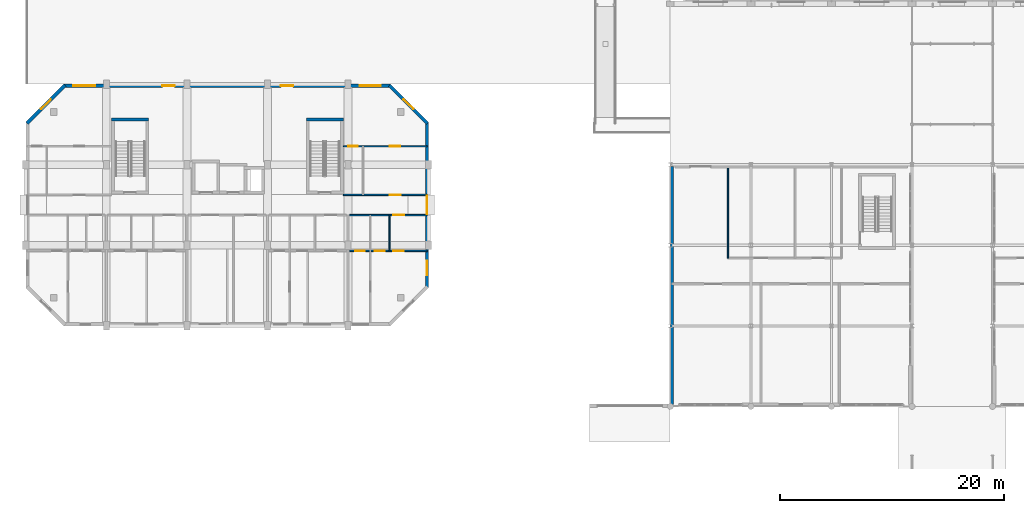
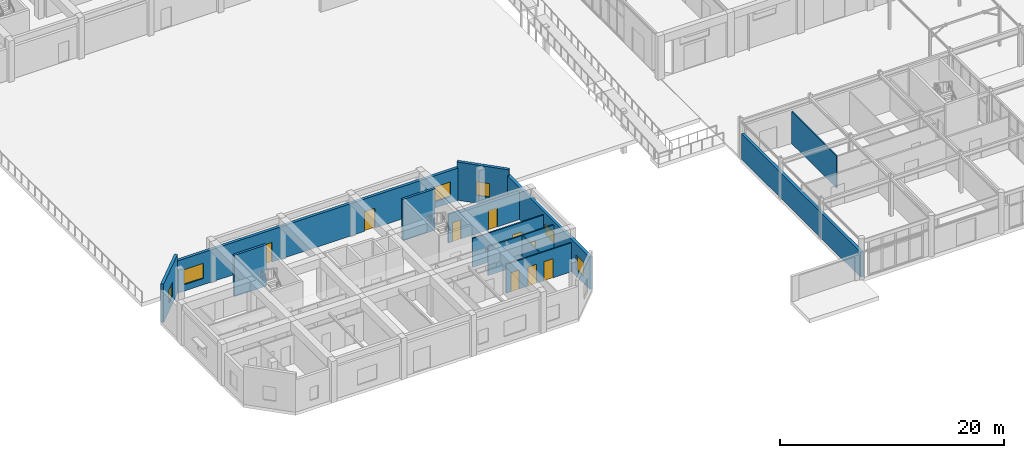
# One storey, part 56 of 85: 13 walls, 9 doors, 6 windows, 15 openings.
"""IFC4 building model written with IfcOpenShell, lengths in metres."""

from ifc_helpers import new_model, si_unit, direction, frame, frame_2d, origin, place, context, subcontext, project, spatial, rectangle, extrude, material, layer, layer_set, type_object, element, fill, save


model = new_model("IFC4")

# Units and contexts
model_context = context("Model", 3, precision=1e-05, world=origin(), true_north=direction((0.0, 1.0)))
body_context = subcontext(model_context, "Body", "Model", "MODEL_VIEW")
ifc_project = project(units=[si_unit("LENGTHUNIT", "METRE"), si_unit("AREAUNIT", "SQUARE_METRE"), si_unit("VOLUMEUNIT", "CUBIC_METRE"), si_unit("PLANEANGLEUNIT", "RADIAN"), si_unit("MASSUNIT", "GRAM", prefix="KILO")], contexts=[model_context])

# Site, building, storey
site_placement = place(None, origin())
site = spatial("IfcSite", under=ifc_project, at=site_placement, CompositionType="ELEMENT")
building_placement = place(site_placement, origin())
building = spatial("IfcBuilding", under=site, at=building_placement, Name="Ochrevale Crest", CompositionType="ELEMENT")
storey_placement = place(building_placement, origin())
storey = spatial("IfcBuildingStorey", under=building, at=storey_placement, Name="L00", CompositionType="ELEMENT", Elevation=0.0)

# Wall, opening, door
ifc_material_1 = material(Name="Gypsum plasterboard", Category="gypsum")
ifc_layer_1 = layer(ifc_material_1, 0.139892578125)
ifc_layer_set_1 = layer_set([ifc_layer_1], Name="Gypsum plasterboard")
wall_type_1 = type_object("IfcWallType", Name="WL-COR-140", PredefinedType="PARTITIONING", material=ifc_layer_set_1)
wall_1_placement = place(storey_placement, frame((28.93994140625, 24.300048828125, 0.0), z_axis=(0.0, 0.0, 1.0), x_axis=(1.0, 0.0, 0.0)))
wall_1 = element("IfcWall", 1, at=wall_1_placement, inside=storey, type_object=wall_type_1, Name="Apartment A-L00-U5 corridor wall", PredefinedType="PARTITIONING", context=body_context, shape_type="SweptSolid", body=[
    extrude(rectangle(XDim=6.920166015625, YDim=0.139892578125, at=frame_2d((3.4599609375, 0.0))), origin(), (0.0, 0.0, 1.0), 3.14990234375),
])
opening_1_placement = place(wall_1_placement, frame((3.89501953125, 0.0, 0.0)))
opening_1 = element("IfcOpeningElement", 2, at=opening_1_placement, cuts=wall_1, Name="Opening FD01", PredefinedType="OPENING", context=body_context, shape_type="SweptSolid", body=[
    extrude(rectangle(XDim=0.97998046875, YDim=2.10009765625, at=frame_2d((0.489990234375, 1.050048828125))), frame((0.0, 0.080078125, 0.0), z_axis=(0.0, -1.0, 0.0), x_axis=(1.0, 0.0, 0.0)), (0.0, 0.0, 1.0), 0.159912109375),
])
ifc_material_2 = material(Name="Solid-core FSC hardwood", Category="wood")
door_type_1 = type_object("IfcDoorType", Name="DR-APT-950", OperationType="NOTDEFINED", PredefinedType="DOOR", material=ifc_material_2)
door_1_placement = place(opening_1_placement, origin())
door_1 = element("IfcDoor", 3, at=door_1_placement, inside=storey, type_object=door_type_1, Name="Apartment A-L00-U5 entrance door", OperationType="SINGLE_SWING_LEFT", OverallHeight=2.10009765625, OverallWidth=0.97998046875, PredefinedType="DOOR", context=body_context, shape_type="SweptSolid", body=[
    extrude(rectangle(XDim=0.97998046875, YDim=2.10009765625, at=frame_2d((0.489990234375, 1.050048828125))), frame((0.0, 0.02490234375, 0.0), z_axis=(0.0, -1.0, 0.0), x_axis=(1.0, 0.0, 0.0)), (0.0, 0.0, 1.0), 0.050048828125),
])
fill(opening_1, door_1)

wall_2_placement = place(storey_placement, frame((28.389892578125, 26.10009765625, 0.0), z_axis=(0.0, 0.0, 1.0), x_axis=(1.0, 0.0, 0.0)))
wall_2 = element("IfcWall", 4, at=wall_2_placement, inside=storey, type_object=wall_type_1, Name="Suite A-L00-CE corridor wall", PredefinedType="PARTITIONING", context=body_context, shape_type="SweptSolid", body=[
    extrude(rectangle(XDim=7.47021484375, YDim=0.139892578125, at=frame_2d((3.735107421875, 0.0))), origin(), (0.0, 0.0, 1.0), 3.14990234375),
])
opening_2_placement = place(wall_2_placement, frame((4.1201171875, 0.0, 0.0)))
opening_2 = element("IfcOpeningElement", 5, at=opening_2_placement, cuts=wall_2, Name="Opening FD01", PredefinedType="OPENING", context=body_context, shape_type="SweptSolid", body=[
    extrude(rectangle(XDim=0.97998046875, YDim=2.10009765625, at=frame_2d((0.489990234375, 1.050048828125))), frame((0.0, 0.080078125, 0.0), z_axis=(0.0, -1.0, 0.0), x_axis=(1.0, 0.0, 0.0)), (0.0, 0.0, 1.0), 0.159912109375),
])
door_2_placement = place(opening_2_placement, origin())
door_2 = element("IfcDoor", 6, at=door_2_placement, inside=storey, type_object=door_type_1, Name="Suite A-L00-CE entrance door", OperationType="SINGLE_SWING_LEFT", OverallHeight=2.10009765625, OverallWidth=0.97998046875, PredefinedType="DOOR", context=body_context, shape_type="SweptSolid", body=[
    extrude(rectangle(XDim=0.97998046875, YDim=2.10009765625, at=frame_2d((0.489990234375, 1.050048828125))), frame((0.0, 0.02490234375, 0.0), z_axis=(0.0, -1.0, 0.0), x_axis=(1.0, 0.0, 0.0)), (0.0, 0.0, 1.0), 0.050048828125),
])
fill(opening_2, door_2)

# Walls
ifc_material_3 = material(Name="Precast concrete C50/60", Category="concrete")
ifc_layer_2 = layer(ifc_material_3, 0.2548828125)
ifc_layer_set_2 = layer_set([ifc_layer_2], Name="Precast concrete C50/60")
wall_type_2 = type_object("IfcWallType", Name="WL-CORE-255", PredefinedType="SHEAR", material=ifc_layer_set_2)
for number, where, z_axis, x_axis, name in (
    (7, (7.672607421875, 32.85009765625, 0.0), (0.0, 0.0, 1.0), (1.0, 0.0, 0.0), "Block A L00 Stair 1 precast core shear wall N"),
    (8, (25.072509765625, 32.85009765625, 0.0), (0.0, 0.0, 1.0), (1.0, 0.0, 0.0), "Block A L00 Stair 2 precast core shear wall N"),
):
    element("IfcWall", number, at=place(storey_placement, frame(where, z_axis=z_axis, x_axis=x_axis)), inside=storey, type_object=wall_type_2, Name=name, PredefinedType="SHEAR", context=body_context, shape_type="SweptSolid", body=[
        extrude(rectangle(XDim=3.304931640625, YDim=0.2548828125, at=frame_2d((1.65234375, 0.0))), origin(), (0.0, 0.0, 1.0), 4.5),
    ])

# Wall, openings, windows
ifc_material_4 = material(Name="Clay face brickwork", Category="masonry")
ifc_layer_3 = layer(ifc_material_4, 0.2900390625)
ifc_layer_set_3 = layer_set([ifc_layer_3], Name="Clay face brickwork")
wall_type_3 = type_object("IfcWallType", Name="WL-EXT-BRICK-290", PredefinedType="SOLIDWALL", material=ifc_layer_set_3)
wall_3_placement = place(storey_placement, frame((35.85498046875, 17.800048828125, 0.0), z_axis=(0.0, 0.0, 1.0), x_axis=(0.0, 1.0, 0.0)))
wall_3 = element("IfcWall", 9, at=wall_3_placement, inside=storey, type_object=wall_type_3, Name="Block A L00 external facade wall E3", PredefinedType="SOLIDWALL", context=body_context, shape_type="SweptSolid", body=[
    extrude(rectangle(XDim=14.800048828125, YDim=0.2900390625, at=frame_2d((7.39990234375, 0.0))), origin(), (0.0, 0.0, 1.0), 3.530029296875),
])
opening_3_placement = place(wall_3_placement, frame((6.574951171875, 0.0, 1.050048828125)))
opening_3 = element("IfcOpeningElement", 10, at=opening_3_placement, cuts=wall_3, Name="Opening W19", PredefinedType="OPENING", context=body_context, shape_type="SweptSolid", body=[
    extrude(rectangle(XDim=1.64990234375, YDim=1.14990234375, at=frame_2d((0.824951171875, 0.574951171875))), frame((0.0, 0.155029296875, 0.0), z_axis=(0.0, -1.0, 0.0), x_axis=(1.0, 0.0, 0.0)), (0.0, 0.0, 1.0), 0.31005859375),
])
opening_4_placement = place(wall_3_placement, frame((1.114990234375, 0.0, 0.75)))
opening_4 = element("IfcOpeningElement", 11, at=opening_4_placement, cuts=wall_3, Name="Opening W30", PredefinedType="OPENING", context=body_context, shape_type="SweptSolid", body=[
    extrude(rectangle(XDim=1.300048828125, YDim=1.550048828125, at=frame_2d((0.64990234375, 0.77490234375))), frame((0.0, 0.155029296875, 0.0), z_axis=(0.0, -1.0, 0.0), x_axis=(1.0, 0.0, 0.0)), (0.0, 0.0, 1.0), 0.31005859375),
])
ifc_material_5 = material(Name="Anodised aluminium 6063-T5 and low-E double glazing", Category="aluminium")
window_type_1 = type_object("IfcWindowType", Name="WIN-W19", PartitioningType="SINGLE_PANEL", PredefinedType="WINDOW", material=ifc_material_5)
window_1_placement = place(opening_3_placement, origin())
window_1 = element("IfcWindow", 12, at=window_1_placement, inside=storey, type_object=window_type_1, Name="Block A L00 corridor end daylight window E", OverallHeight=1.14990234375, OverallWidth=1.64990234375, PartitioningType="SINGLE_PANEL", PredefinedType="WINDOW", context=body_context, shape_type="SweptSolid", body=[
    extrude(rectangle(XDim=1.64990234375, YDim=1.14990234375, at=frame_2d((0.824951171875, 0.574951171875))), frame((0.0, 0.030029296875, 0.0), z_axis=(0.0, -1.0, 0.0), x_axis=(1.0, 0.0, 0.0)), (0.0, 0.0, 1.0), 0.06005859375),
])
fill(opening_3, window_1)
window_type_2 = type_object("IfcWindowType", Name="WIN-W30", PartitioningType="SINGLE_PANEL", PredefinedType="WINDOW", material=ifc_material_5)
window_2_placement = place(opening_4_placement, origin())
window_2 = element("IfcWindow", 13, at=window_2_placement, inside=storey, type_object=window_type_2, Name="Block A L00 side suite window E", OverallHeight=1.550048828125, OverallWidth=1.300048828125, PartitioningType="SINGLE_PANEL", PredefinedType="WINDOW", context=body_context, shape_type="SweptSolid", body=[
    extrude(rectangle(XDim=1.300048828125, YDim=1.550048828125, at=frame_2d((0.64990234375, 0.77490234375))), frame((0.0, 0.030029296875, 0.0), z_axis=(0.0, -1.0, 0.0), x_axis=(1.0, 0.0, 0.0)), (0.0, 0.0, 1.0), 0.06005859375),
])
fill(opening_4, window_2)

# Wall, opening, window
wall_4_placement = place(storey_placement, frame((35.8974609375, 32.49755859375, 0.0), z_axis=(0.0, 0.0, 1.0), x_axis=(-0.707106781187, 0.707106781187, 0.0)))
wall_4 = element("IfcWall", 14, at=wall_4_placement, inside=storey, type_object=wall_type_3, Name="Block A L00 external facade wall E4", PredefinedType="SOLIDWALL", context=body_context, shape_type="SweptSolid", body=[
    extrude(rectangle(XDim=4.80810546875, YDim=0.2900390625, at=frame_2d((2.404052734375, 0.0))), origin(), (0.0, 0.0, 1.0), 4.175048828125),
])
opening_5_placement = place(wall_4_placement, frame((1.794189453125, 0.0, 0.85009765625)))
opening_5 = element("IfcOpeningElement", 15, at=opening_5_placement, cuts=wall_4, Name="Opening W06", PredefinedType="OPENING", context=body_context, shape_type="SweptSolid", body=[
    extrude(rectangle(XDim=1.219970703125, YDim=1.5, at=frame_2d((0.60986328125, 0.75))), frame((0.0, 0.155029296875, 0.0), z_axis=(0.0, -1.0, 0.0), x_axis=(1.0, 0.0, 0.0)), (0.0, 0.0, 1.0), 0.31005859375),
])
window_type_3 = type_object("IfcWindowType", Name="WIN-W06", PartitioningType="SINGLE_PANEL", PredefinedType="WINDOW", material=ifc_material_5)
window_3_placement = place(opening_5_placement, origin())
window_3 = element("IfcWindow", 16, at=window_3_placement, inside=storey, type_object=window_type_3, Name="Block A L00 corner room casement window 4", OverallHeight=1.5, OverallWidth=1.219970703125, PartitioningType="SINGLE_PANEL", PredefinedType="WINDOW", context=body_context, shape_type="SweptSolid", body=[
    extrude(rectangle(XDim=1.219970703125, YDim=1.5, at=frame_2d((0.60986328125, 0.75))), frame((0.0, 0.030029296875, 0.0), z_axis=(0.0, -1.0, 0.0), x_axis=(1.0, 0.0, 0.0)), (0.0, 0.0, 1.0), 0.06005859375),
])
fill(opening_5, window_3)

# Wall, openings, doors, windows
wall_5_placement = place(storey_placement, frame((32.60009765625, 35.85498046875, 0.0), z_axis=(0.0, 0.0, 1.0), x_axis=(-1.0, 0.0, 0.0)))
wall_5 = element("IfcWall", 17, at=wall_5_placement, inside=storey, type_object=wall_type_3, Name="Block A L00 external facade wall E5", PredefinedType="SOLIDWALL", context=body_context, shape_type="SweptSolid", body=[
    extrude(rectangle(XDim=29.2001953125, YDim=0.2900390625, at=frame_2d((14.60009765625, 0.0))), origin(), (0.0, 0.0, 1.0), 3.530029296875),
])
opening_6_placement = place(wall_5_placement, frame((20.400146484375, 0.0, 0.0), z_axis=(0.0, 0.0, 1.0), x_axis=(-1.0, 0.0, 0.0)))
opening_6 = element("IfcOpeningElement", 18, at=opening_6_placement, cuts=wall_5, Name="Opening ED06", PredefinedType="OPENING", context=body_context, shape_type="SweptSolid", body=[
    extrude(rectangle(XDim=1.10009765625, YDim=2.14990234375, at=frame_2d((0.550048828125, 1.074951171875))), frame((0.0, 0.155029296875, 0.0), z_axis=(0.0, -1.0, 0.0), x_axis=(1.0, 0.0, 0.0)), (0.0, 0.0, 1.0), 0.31005859375),
])
opening_7_placement = place(wall_5_placement, frame((9.800048828125, 0.0, 0.0), z_axis=(0.0, 0.0, 1.0), x_axis=(-1.0, 0.0, 0.0)))
opening_7 = element("IfcOpeningElement", 19, at=opening_7_placement, cuts=wall_5, Name="Opening ED06", PredefinedType="OPENING", context=body_context, shape_type="SweptSolid", body=[
    extrude(rectangle(XDim=1.10009765625, YDim=2.14990234375, at=frame_2d((0.550048828125, 1.074951171875))), frame((0.0, 0.155029296875, 0.0), z_axis=(0.0, -1.0, 0.0), x_axis=(1.0, 0.0, 0.0)), (0.0, 0.0, 1.0), 0.31005859375),
])
opening_8_placement = place(wall_5_placement, frame((0.8974609375, 0.0, 0.699951171875)))
opening_8 = element("IfcOpeningElement", 20, at=opening_8_placement, cuts=wall_5, Name="Opening W11", PredefinedType="OPENING", context=body_context, shape_type="SweptSolid", body=[
    extrude(rectangle(XDim=1.860107421875, YDim=1.60009765625, at=frame_2d((0.93017578125, 0.800048828125))), frame((0.0, 0.155029296875, 0.0), z_axis=(0.0, -1.0, 0.0), x_axis=(1.0, 0.0, 0.0)), (0.0, 0.0, 1.0), 0.31005859375),
])
opening_9_placement = place(wall_5_placement, frame((26.37255859375, 0.0, 0.699951171875)))
opening_9 = element("IfcOpeningElement", 21, at=opening_9_placement, cuts=wall_5, Name="Opening W12", PredefinedType="OPENING", context=body_context, shape_type="SweptSolid", body=[
    extrude(rectangle(XDim=2.0, YDim=1.64990234375, at=frame_2d((1.0, 0.824951171875))), frame((0.0, 0.155029296875, 0.0), z_axis=(0.0, -1.0, 0.0), x_axis=(1.0, 0.0, 0.0)), (0.0, 0.0, 1.0), 0.31005859375),
])
ifc_material_6 = material(Name="Anodised aluminium 6063-T5 and toughened glass", Category="aluminium")
door_type_2 = type_object("IfcDoorType", Name="DR-EXT-1100", OperationType="NOTDEFINED", PredefinedType="DOOR", material=ifc_material_6)
door_3_placement = place(opening_6_placement, origin())
door_3 = element("IfcDoor", 22, at=door_3_placement, inside=storey, type_object=door_type_2, Name="Block A fire-stair 1 final exit door", OperationType="SINGLE_SWING_LEFT", OverallHeight=2.14990234375, OverallWidth=1.10009765625, PredefinedType="DOOR", context=body_context, shape_type="SweptSolid", body=[
    extrude(rectangle(XDim=1.10009765625, YDim=2.14990234375, at=frame_2d((0.550048828125, 1.074951171875))), frame((0.0, 0.02490234375, 0.0), z_axis=(0.0, -1.0, 0.0), x_axis=(1.0, 0.0, 0.0)), (0.0, 0.0, 1.0), 0.050048828125),
])
fill(opening_6, door_3)
door_4_placement = place(opening_7_placement, origin())
door_4 = element("IfcDoor", 23, at=door_4_placement, inside=storey, type_object=door_type_2, Name="Block A fire-stair 2 final exit door", OperationType="SINGLE_SWING_RIGHT", OverallHeight=2.14990234375, OverallWidth=1.10009765625, PredefinedType="DOOR", context=body_context, shape_type="SweptSolid", body=[
    extrude(rectangle(XDim=1.10009765625, YDim=2.14990234375, at=frame_2d((0.550048828125, 1.074951171875))), frame((0.0, 0.02490234375, 0.0), z_axis=(0.0, -1.0, 0.0), x_axis=(1.0, 0.0, 0.0)), (0.0, 0.0, 1.0), 0.050048828125),
])
fill(opening_7, door_4)
window_type_4 = type_object("IfcWindowType", Name="WIN-W11", PartitioningType="SINGLE_PANEL", PredefinedType="WINDOW", material=ifc_material_5)
window_4_placement = place(opening_8_placement, origin())
window_4 = element("IfcWindow", 24, at=window_4_placement, inside=storey, type_object=window_type_4, Name="Block A L00 Suite A-L00-CE Master Bedroom window", OverallHeight=1.60009765625, OverallWidth=1.860107421875, PartitioningType="SINGLE_PANEL", PredefinedType="WINDOW", context=body_context, shape_type="SweptSolid", body=[
    extrude(rectangle(XDim=1.860107421875, YDim=1.60009765625, at=frame_2d((0.93017578125, 0.800048828125))), frame((0.0, 0.030029296875, 0.0), z_axis=(0.0, -1.0, 0.0), x_axis=(1.0, 0.0, 0.0)), (0.0, 0.0, 1.0), 0.06005859375),
])
fill(opening_8, window_4)
window_type_5 = type_object("IfcWindowType", Name="WIN-W12", PartitioningType="SINGLE_PANEL", PredefinedType="WINDOW", material=ifc_material_5)
window_5_placement = place(opening_9_placement, origin())
window_5 = element("IfcWindow", 25, at=window_5_placement, inside=storey, type_object=window_type_5, Name="Block A L00 Suite A-L00-CW Garden Alcove Studio window", OverallHeight=1.64990234375, OverallWidth=2.0, PartitioningType="SINGLE_PANEL", PredefinedType="WINDOW", context=body_context, shape_type="SweptSolid", body=[
    extrude(rectangle(XDim=2.0, YDim=1.64990234375, at=frame_2d((1.0, 0.824951171875))), frame((0.0, 0.030029296875, 0.0), z_axis=(0.0, -1.0, 0.0), x_axis=(1.0, 0.0, 0.0)), (0.0, 0.0, 1.0), 0.06005859375),
])
fill(opening_9, window_5)

# Wall, opening, window
wall_6_placement = place(storey_placement, frame((3.50244140625, 35.8974609375, 0.0), z_axis=(0.0, 0.0, 1.0), x_axis=(-0.707106781187, -0.707106781187, 0.0)))
wall_6 = element("IfcWall", 26, at=wall_6_placement, inside=storey, type_object=wall_type_3, Name="Block A L00 external facade wall E6", PredefinedType="SOLIDWALL", context=body_context, shape_type="SweptSolid", body=[
    extrude(rectangle(XDim=4.80810546875, YDim=0.2900390625, at=frame_2d((2.404052734375, 0.0))), origin(), (0.0, 0.0, 1.0), 4.175048828125),
])
opening_10_placement = place(wall_6_placement, frame((1.794189453125, 0.0, 0.85009765625)))
opening_10 = element("IfcOpeningElement", 27, at=opening_10_placement, cuts=wall_6, Name="Opening W06", PredefinedType="OPENING", context=body_context, shape_type="SweptSolid", body=[
    extrude(rectangle(XDim=1.219970703125, YDim=1.5, at=frame_2d((0.60986328125, 0.75))), frame((0.0, 0.155029296875, 0.0), z_axis=(0.0, -1.0, 0.0), x_axis=(1.0, 0.0, 0.0)), (0.0, 0.0, 1.0), 0.31005859375),
])
window_6_placement = place(opening_10_placement, origin())
window_6 = element("IfcWindow", 28, at=window_6_placement, inside=storey, type_object=window_type_3, Name="Block A L00 corner room casement window 6", OverallHeight=1.5, OverallWidth=1.219970703125, PartitioningType="SINGLE_PANEL", PredefinedType="WINDOW", context=body_context, shape_type="SweptSolid", body=[
    extrude(rectangle(XDim=1.219970703125, YDim=1.5, at=frame_2d((0.60986328125, 0.75))), frame((0.0, 0.030029296875, 0.0), z_axis=(0.0, -1.0, 0.0), x_axis=(1.0, 0.0, 0.0)), (0.0, 0.0, 1.0), 0.06005859375),
])
fill(opening_10, window_6)

# Walls
wall_7_placement = place(storey_placement, frame((57.75, 7.35009765625, 0.0), z_axis=(0.0, 0.0, 1.0), x_axis=(0.0, 1.0, 0.0)))
element("IfcWall", 29, at=wall_7_placement, inside=storey, type_object=wall_type_3, Name="Boulevard W wing outer end brick wall", PredefinedType="SOLIDWALL", context=body_context, shape_type="SweptSolid", body=[
    extrude(rectangle(XDim=21.2998046875, YDim=0.2900390625, at=frame_2d((10.64990234375, 0.0))), origin(), (0.0, 0.0, 1.0), 2.75244140625),
])
ifc_layer_4 = layer(ifc_material_1, 0.1201171875)
ifc_layer_set_4 = layer_set([ifc_layer_4], Name="Gypsum plasterboard")
wall_type_4 = type_object("IfcWallType", Name="WL-PART-120", PredefinedType="PARTITIONING", material=ifc_layer_set_4)
wall_8_placement = place(storey_placement, frame((62.75, 20.449951171875, 0.0), z_axis=(0.0, 0.0, 1.0), x_axis=(0.0, 1.0, 0.0)))
element("IfcWall", 30, at=wall_8_placement, inside=storey, type_object=wall_type_4, Name="West service divider", PredefinedType="PARTITIONING", context=body_context, shape_type="SweptSolid", body=[
    extrude(rectangle(XDim=8.050048828125, YDim=0.1201171875, at=frame_2d((4.02490234375, 0.0))), origin(), (0.0, 0.0, 1.0), 3.5),
])
wall_9_placement = place(storey_placement, frame((32.5, 21.10009765625, 0.0), z_axis=(0.0, 0.0, 1.0), x_axis=(0.0, 1.0, 0.0)))
element("IfcWall", 31, at=wall_9_placement, inside=storey, type_object=wall_type_4, Name="Apartment A-L00-U5 kitchen-foyer wall", PredefinedType="PARTITIONING", context=body_context, shape_type="SweptSolid", body=[
    extrude(rectangle(XDim=3.199951171875, YDim=0.1201171875, at=frame_2d((1.60009765625, 0.0))), origin(), (0.0, 0.0, 1.0), 3.14990234375),
])

# Wall, openings, doors
wall_10_placement = place(storey_placement, frame((28.93994140625, 21.10009765625, 0.0), z_axis=(0.0, 0.0, 1.0), x_axis=(1.0, 0.0, 0.0)))
wall_10 = element("IfcWall", 32, at=wall_10_placement, inside=storey, type_object=wall_type_4, Name="Apartment A-L00-U5 central partition", PredefinedType="PARTITIONING", context=body_context, shape_type="SweptSolid", body=[
    extrude(rectangle(XDim=6.920166015625, YDim=0.1201171875, at=frame_2d((3.4599609375, 0.0))), origin(), (0.0, 0.0, 1.0), 3.14990234375),
])
opening_11_placement = place(wall_10_placement, frame((1.35009765625, 0.0, 0.0), z_axis=(0.0, 0.0, 1.0), x_axis=(-1.0, 0.0, 0.0)))
opening_11 = element("IfcOpeningElement", 33, at=opening_11_placement, cuts=wall_10, Name="Opening ID01", PredefinedType="OPENING", context=body_context, shape_type="SweptSolid", body=[
    extrude(rectangle(XDim=0.85009765625, YDim=2.080078125, at=frame_2d((0.425048828125, 1.0400390625))), frame((0.0, 0.070068359375, 0.0), z_axis=(0.0, -1.0, 0.0), x_axis=(1.0, 0.0, 0.0)), (0.0, 0.0, 1.0), 0.14013671875),
])
opening_12_placement = place(wall_10_placement, frame((2.2548828125, 0.0, 0.0)))
opening_12 = element("IfcOpeningElement", 34, at=opening_12_placement, cuts=wall_10, Name="Opening ID02", PredefinedType="OPENING", context=body_context, shape_type="SweptSolid", body=[
    extrude(rectangle(XDim=0.89990234375, YDim=2.080078125, at=frame_2d((0.449951171875, 1.0400390625))), frame((0.0, 0.070068359375, 0.0), z_axis=(0.0, -1.0, 0.0), x_axis=(1.0, 0.0, 0.0)), (0.0, 0.0, 1.0), 0.14013671875),
])
opening_13_placement = place(wall_10_placement, frame((4.85986328125, 0.0, 0.0), z_axis=(0.0, 0.0, 1.0), x_axis=(-1.0, 0.0, 0.0)))
opening_13 = element("IfcOpeningElement", 35, at=opening_13_placement, cuts=wall_10, Name="Opening ID06", PredefinedType="OPENING", context=body_context, shape_type="SweptSolid", body=[
    extrude(rectangle(XDim=0.949951171875, YDim=2.080078125, at=frame_2d((0.47509765625, 1.0400390625))), frame((0.0, 0.070068359375, 0.0), z_axis=(0.0, -1.0, 0.0), x_axis=(1.0, 0.0, 0.0)), (0.0, 0.0, 1.0), 0.14013671875),
])
door_type_3 = type_object("IfcDoorType", Name="DR-INT-900", OperationType="NOTDEFINED", PredefinedType="DOOR", material=ifc_material_2)
door_5_placement = place(opening_12_placement, origin())
door_5 = element("IfcDoor", 36, at=door_5_placement, inside=storey, type_object=door_type_3, Name="Apartment A-L00-U5 Kitchen door", OperationType="SINGLE_SWING_LEFT", OverallHeight=2.080078125, OverallWidth=0.89990234375, PredefinedType="DOOR", context=body_context, shape_type="SweptSolid", body=[
    extrude(rectangle(XDim=0.89990234375, YDim=2.080078125, at=frame_2d((0.449951171875, 1.0400390625))), frame((0.0, 0.02490234375, 0.0), z_axis=(0.0, -1.0, 0.0), x_axis=(1.0, 0.0, 0.0)), (0.0, 0.0, 1.0), 0.050048828125),
])
fill(opening_12, door_5)
door_type_4 = type_object("IfcDoorType", Name="DR-INT-950", OperationType="NOTDEFINED", PredefinedType="DOOR", material=ifc_material_2)
door_6_placement = place(opening_13_placement, origin())
door_6 = element("IfcDoor", 37, at=door_6_placement, inside=storey, type_object=door_type_4, Name="Apartment A-L00-U5 Living Foyer door", OperationType="SINGLE_SWING_RIGHT", OverallHeight=2.080078125, OverallWidth=0.949951171875, PredefinedType="DOOR", context=body_context, shape_type="SweptSolid", body=[
    extrude(rectangle(XDim=0.949951171875, YDim=2.080078125, at=frame_2d((0.47509765625, 1.0400390625))), frame((0.0, 0.02490234375, 0.0), z_axis=(0.0, -1.0, 0.0), x_axis=(1.0, 0.0, 0.0)), (0.0, 0.0, 1.0), 0.050048828125),
])
fill(opening_13, door_6)
door_type_5 = type_object("IfcDoorType", Name="DR-WC-850", OperationType="NOTDEFINED", PredefinedType="DOOR", material=ifc_material_2)
door_7_placement = place(opening_11_placement, origin())
door_7 = element("IfcDoor", 38, at=door_7_placement, inside=storey, type_object=door_type_5, Name="Apartment A-L00-U5 Bathroom door", OperationType="SINGLE_SWING_RIGHT", OverallHeight=2.080078125, OverallWidth=0.85009765625, PredefinedType="DOOR", context=body_context, shape_type="SweptSolid", body=[
    extrude(rectangle(XDim=0.85009765625, YDim=2.080078125, at=frame_2d((0.425048828125, 1.0400390625))), frame((0.0, 0.02490234375, 0.0), z_axis=(0.0, -1.0, 0.0), x_axis=(1.0, 0.0, 0.0)), (0.0, 0.0, 1.0), 0.050048828125),
])
fill(opening_11, door_7)

wall_11_placement = place(storey_placement, frame((28.389892578125, 30.449951171875, 0.0), z_axis=(0.0, 0.0, 1.0), x_axis=(1.0, 0.0, 0.0)))
wall_11 = element("IfcWall", 39, at=wall_11_placement, inside=storey, type_object=wall_type_4, Name="Suite A-L00-CE internal wall", PredefinedType="PARTITIONING", context=body_context, shape_type="SweptSolid", body=[
    extrude(rectangle(XDim=7.47021484375, YDim=0.1201171875, at=frame_2d((3.735107421875, 0.0))), origin(), (0.0, 0.0, 1.0), 3.14990234375),
])
opening_14_placement = place(wall_11_placement, frame((1.300048828125, 0.0, 0.0), z_axis=(0.0, 0.0, 1.0), x_axis=(-1.0, 0.0, 0.0)))
opening_14 = element("IfcOpeningElement", 40, at=opening_14_placement, cuts=wall_11, Name="Opening ID01", PredefinedType="OPENING", context=body_context, shape_type="SweptSolid", body=[
    extrude(rectangle(XDim=0.85009765625, YDim=2.080078125, at=frame_2d((0.425048828125, 1.0400390625))), frame((0.0, 0.070068359375, 0.0), z_axis=(0.0, -1.0, 0.0), x_axis=(1.0, 0.0, 0.0)), (0.0, 0.0, 1.0), 0.14013671875),
])
opening_15_placement = place(wall_11_placement, frame((4.14990234375, 0.0, 0.0)))
opening_15 = element("IfcOpeningElement", 41, at=opening_15_placement, cuts=wall_11, Name="Opening ID04", PredefinedType="OPENING", context=body_context, shape_type="SweptSolid", body=[
    extrude(rectangle(XDim=0.919921875, YDim=2.080078125, at=frame_2d((0.4599609375, 1.0400390625))), frame((0.0, 0.070068359375, 0.0), z_axis=(0.0, -1.0, 0.0), x_axis=(1.0, 0.0, 0.0)), (0.0, 0.0, 1.0), 0.14013671875),
])
door_type_6 = type_object("IfcDoorType", Name="DR-INT-920", OperationType="NOTDEFINED", PredefinedType="DOOR", material=ifc_material_2)
door_8_placement = place(opening_15_placement, origin())
door_8 = element("IfcDoor", 42, at=door_8_placement, inside=storey, type_object=door_type_6, Name="Suite A-L00-CE Master Bedroom door", OperationType="SINGLE_SWING_LEFT", OverallHeight=2.080078125, OverallWidth=0.919921875, PredefinedType="DOOR", context=body_context, shape_type="SweptSolid", body=[
    extrude(rectangle(XDim=0.919921875, YDim=2.080078125, at=frame_2d((0.4599609375, 1.0400390625))), frame((0.0, 0.02490234375, 0.0), z_axis=(0.0, -1.0, 0.0), x_axis=(1.0, 0.0, 0.0)), (0.0, 0.0, 1.0), 0.050048828125),
])
fill(opening_15, door_8)
door_9_placement = place(opening_14_placement, origin())
door_9 = element("IfcDoor", 43, at=door_9_placement, inside=storey, type_object=door_type_5, Name="Suite A-L00-CE Bathroom door", OperationType="SINGLE_SWING_RIGHT", OverallHeight=2.080078125, OverallWidth=0.85009765625, PredefinedType="DOOR", context=body_context, shape_type="SweptSolid", body=[
    extrude(rectangle(XDim=0.85009765625, YDim=2.080078125, at=frame_2d((0.425048828125, 1.0400390625))), frame((0.0, 0.02490234375, 0.0), z_axis=(0.0, -1.0, 0.0), x_axis=(1.0, 0.0, 0.0)), (0.0, 0.0, 1.0), 0.050048828125),
])
fill(opening_14, door_9)

save(model, "model.ifc")
